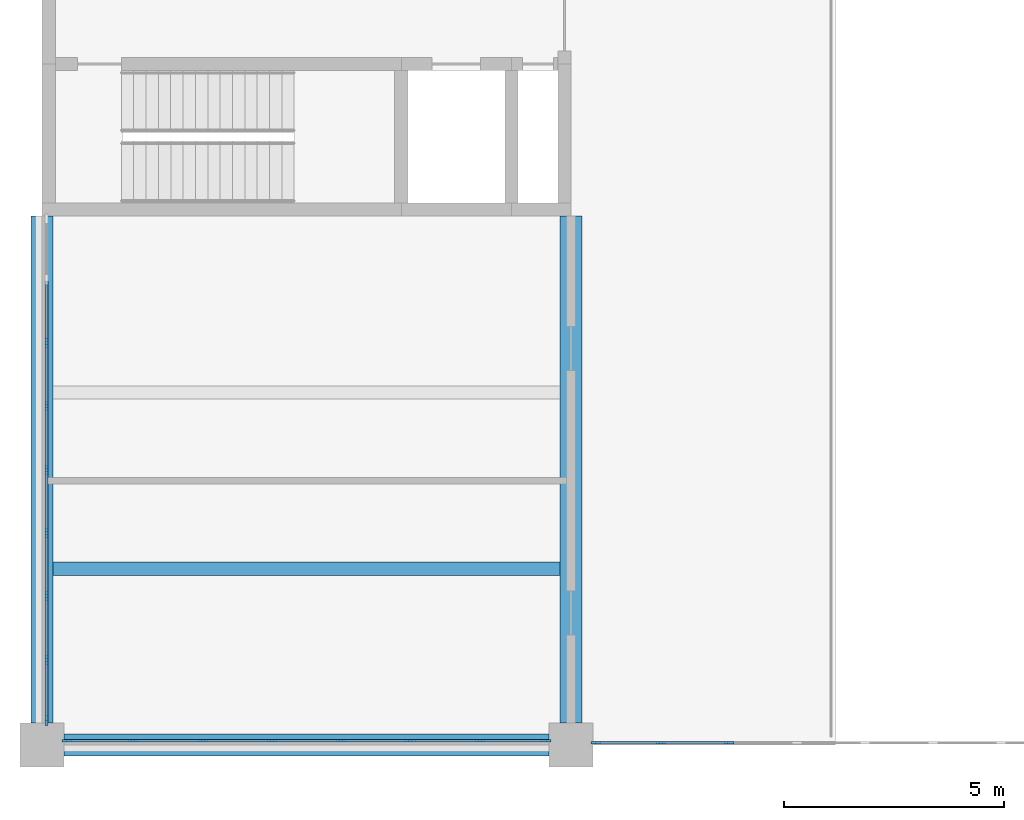
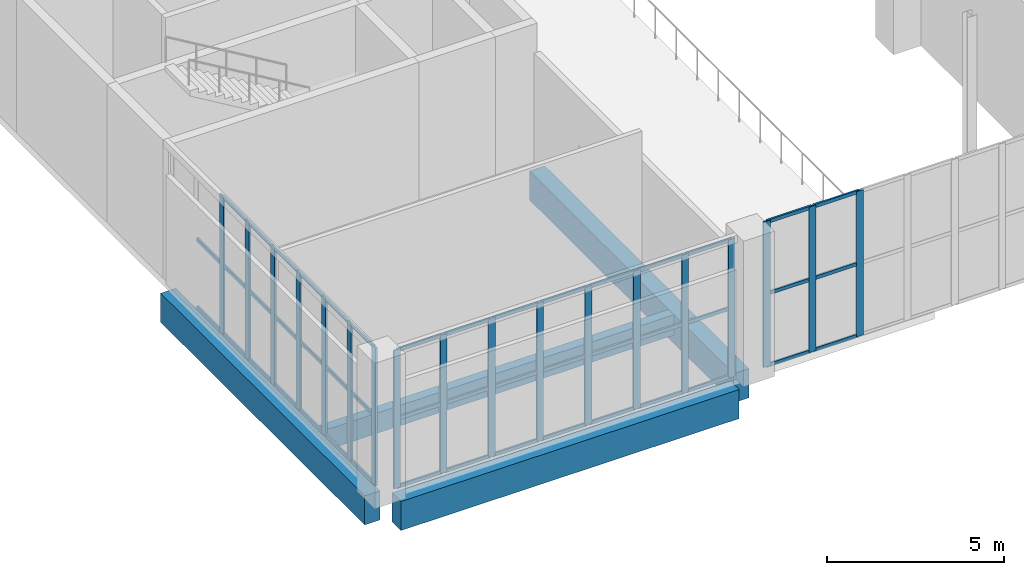
# One storey, part 12 of 69: 65 members, 4 beams, 3 elements without a shape of their own.
"""IFC4 building model written with IfcOpenShell, lengths in metres."""

from ifc_helpers import new_model, si_unit, direction, frame, origin, origin_2d, place, context, subcontext, project, spatial, rectangle, extrude, material, layer, layer_set, material_profile, profile_set, type_object, element, aggregate, save


model = new_model("IFC4")

# Units and contexts
model_context = context("Model", 3, precision=1e-05, world=origin(), true_north=direction((0.0, 1.0)))
body_context = subcontext(model_context, "Body", "Model", "MODEL_VIEW")
ifc_project = project(units=[si_unit("LENGTHUNIT", "METRE"), si_unit("AREAUNIT", "SQUARE_METRE"), si_unit("VOLUMEUNIT", "CUBIC_METRE"), si_unit("PLANEANGLEUNIT", "RADIAN"), si_unit("MASSUNIT", "GRAM", prefix="KILO")], contexts=[model_context])

# Site, building, storey
site_placement = place(None, origin())
site = spatial("IfcSite", under=ifc_project, at=site_placement, CompositionType="ELEMENT")
building_placement = place(site_placement, origin())
building = spatial("IfcBuilding", under=site, at=building_placement, Name="Lilac Gate Convention Centre", CompositionType="ELEMENT")
storey_placement = place(building_placement, frame((0.0, 0.0, 12.0)))
storey = spatial("IfcBuildingStorey", under=building, at=storey_placement, Name="L02", CompositionType="ELEMENT", Elevation=12.0)

# Curtain wall, members
ifc_material_1 = material(Name="Aluminium framed double glazing", Category="aluminium")
ifc_layer = layer(ifc_material_1, 0.199951171875)
ifc_layer_set = layer_set([ifc_layer], Name="Aluminium framed double glazing")
curtain_wall_type = type_object("IfcCurtainWallType", Name="Unitised curtain wall 1500", PredefinedType="NOTDEFINED", material=ifc_layer_set)
curtain_wall_1_placement = place(storey_placement, origin())
curtain_wall_1 = element("IfcCurtainWall", 1, at=curtain_wall_1_placement, inside=storey, type_object=curtain_wall_type, Name="Curtain wall PW L02 12", PredefinedType="NOTDEFINED")
ifc_material_2 = material(Name="Aluminium alloy 6063", Category="aluminium")
ifc_material_profile_1 = material_profile(ifc_material_2, rectangle(XDim=0.06005859375, YDim=0.219970703125, at=origin_2d()), Name="Curtain wall mullion 60 x 220")
ifc_profile_set_1 = profile_set([ifc_material_profile_1], Name="Aluminium alloy 6063")
member_type_1 = type_object("IfcMemberType", Name="Curtain wall mullion 60 x 220", PredefinedType="MULLION", material=ifc_profile_set_1)
member_1_placement = place(storey_placement, frame((6.10009765625, 39.125, 0.0), z_axis=(0.0, 0.0, 1.0), x_axis=(1.0, 0.0, 0.0)))
member_1 = element("IfcMember", 2, at=member_1_placement, type_object=member_type_1, Name="CW mullion 3", PredefinedType="MULLION", context=body_context, shape_type="SweptSolid", body=[
    extrude(rectangle(XDim=0.06005859375, YDim=0.219970703125, at=origin_2d()), origin(), (0.0, 0.0, 1.0), 4.75),
])
member_2_placement = place(storey_placement, frame((6.10009765625, 37.6875, 0.0), z_axis=(0.0, 0.0, 1.0), x_axis=(1.0, 0.0, 0.0)))
member_2 = element("IfcMember", 3, at=member_2_placement, type_object=member_type_1, Name="CW mullion 4", PredefinedType="MULLION", context=body_context, shape_type="SweptSolid", body=[
    extrude(rectangle(XDim=0.06005859375, YDim=0.219970703125, at=origin_2d()), origin(), (0.0, 0.0, 1.0), 4.75),
])
member_3_placement = place(storey_placement, frame((6.10009765625, 36.25, 0.0), z_axis=(0.0, 0.0, 1.0), x_axis=(1.0, 0.0, 0.0)))
member_3 = element("IfcMember", 4, at=member_3_placement, type_object=member_type_1, Name="CW mullion 5", PredefinedType="MULLION", context=body_context, shape_type="SweptSolid", body=[
    extrude(rectangle(XDim=0.06005859375, YDim=0.219970703125, at=origin_2d()), origin(), (0.0, 0.0, 1.0), 4.75),
])
member_4_placement = place(storey_placement, frame((6.10009765625, 34.8125, 0.0), z_axis=(0.0, 0.0, 1.0), x_axis=(1.0, 0.0, 0.0)))
member_4 = element("IfcMember", 5, at=member_4_placement, type_object=member_type_1, Name="CW mullion 6", PredefinedType="MULLION", context=body_context, shape_type="SweptSolid", body=[
    extrude(rectangle(XDim=0.06005859375, YDim=0.219970703125, at=origin_2d()), origin(), (0.0, 0.0, 1.0), 4.75),
])
member_5_placement = place(storey_placement, frame((6.10009765625, 33.375, 0.0), z_axis=(0.0, 0.0, 1.0), x_axis=(1.0, 0.0, 0.0)))
member_5 = element("IfcMember", 6, at=member_5_placement, type_object=member_type_1, Name="CW mullion 7", PredefinedType="MULLION", context=body_context, shape_type="SweptSolid", body=[
    extrude(rectangle(XDim=0.06005859375, YDim=0.219970703125, at=origin_2d()), origin(), (0.0, 0.0, 1.0), 4.75),
])
member_6_placement = place(storey_placement, frame((6.10009765625, 31.9375, 0.0), z_axis=(0.0, 0.0, 1.0), x_axis=(1.0, 0.0, 0.0)))
member_6 = element("IfcMember", 7, at=member_6_placement, type_object=member_type_1, Name="CW mullion 8", PredefinedType="MULLION", context=body_context, shape_type="SweptSolid", body=[
    extrude(rectangle(XDim=0.06005859375, YDim=0.219970703125, at=origin_2d()), origin(), (0.0, 0.0, 1.0), 4.75),
])
member_7_placement = place(storey_placement, frame((6.10009765625, 30.56005859375, 0.0), z_axis=(0.0, 0.0, 1.0), x_axis=(1.0, 0.0, 0.0)))
member_7 = element("IfcMember", 8, at=member_7_placement, type_object=member_type_1, Name="CW mullion 9", PredefinedType="MULLION", context=body_context, shape_type="SweptSolid", body=[
    extrude(rectangle(XDim=0.06005859375, YDim=0.219970703125, at=origin_2d()), origin(), (0.0, 0.0, 1.0), 4.75),
])

curtain_wall_2_placement = place(storey_placement, origin())
curtain_wall_2 = element("IfcCurtainWall", 9, at=curtain_wall_2_placement, inside=storey, type_object=curtain_wall_type, Name="Curtain wall PS L02 1", PredefinedType="NOTDEFINED")
member_8_placement = place(storey_placement, frame((6.56005859375, 30.10009765625, 0.0), z_axis=(0.0, 0.0, 1.0), x_axis=(0.0, 1.0, 0.0)))
member_8 = element("IfcMember", 10, at=member_8_placement, type_object=member_type_1, Name="CW mullion 1", PredefinedType="MULLION", context=body_context, shape_type="SweptSolid", body=[
    extrude(rectangle(XDim=0.06005859375, YDim=0.219970703125, at=origin_2d()), origin(), (0.0, 0.0, 1.0), 4.75),
])
member_9_placement = place(storey_placement, frame((8.071533203125, 30.10009765625, 0.0), z_axis=(0.0, 0.0, 1.0), x_axis=(0.0, 1.0, 0.0)))
member_9 = element("IfcMember", 11, at=member_9_placement, type_object=member_type_1, Name="CW mullion 2", PredefinedType="MULLION", context=body_context, shape_type="SweptSolid", body=[
    extrude(rectangle(XDim=0.06005859375, YDim=0.219970703125, at=origin_2d()), origin(), (0.0, 0.0, 1.0), 4.75),
])
member_10_placement = place(storey_placement, frame((9.642822265625, 30.10009765625, 0.0), z_axis=(0.0, 0.0, 1.0), x_axis=(0.0, 1.0, 0.0)))
member_10 = element("IfcMember", 12, at=member_10_placement, type_object=member_type_1, Name="CW mullion 3", PredefinedType="MULLION", context=body_context, shape_type="SweptSolid", body=[
    extrude(rectangle(XDim=0.06005859375, YDim=0.219970703125, at=origin_2d()), origin(), (0.0, 0.0, 1.0), 4.75),
])
member_11_placement = place(storey_placement, frame((11.21435546875, 30.10009765625, 0.0), z_axis=(0.0, 0.0, 1.0), x_axis=(0.0, 1.0, 0.0)))
member_11 = element("IfcMember", 13, at=member_11_placement, type_object=member_type_1, Name="CW mullion 4", PredefinedType="MULLION", context=body_context, shape_type="SweptSolid", body=[
    extrude(rectangle(XDim=0.06005859375, YDim=0.219970703125, at=origin_2d()), origin(), (0.0, 0.0, 1.0), 4.75),
])
member_12_placement = place(storey_placement, frame((12.78564453125, 30.10009765625, 0.0), z_axis=(0.0, 0.0, 1.0), x_axis=(0.0, 1.0, 0.0)))
member_12 = element("IfcMember", 14, at=member_12_placement, type_object=member_type_1, Name="CW mullion 5", PredefinedType="MULLION", context=body_context, shape_type="SweptSolid", body=[
    extrude(rectangle(XDim=0.06005859375, YDim=0.219970703125, at=origin_2d()), origin(), (0.0, 0.0, 1.0), 4.75),
])
member_13_placement = place(storey_placement, frame((14.357177734375, 30.10009765625, 0.0), z_axis=(0.0, 0.0, 1.0), x_axis=(0.0, 1.0, 0.0)))
member_13 = element("IfcMember", 15, at=member_13_placement, type_object=member_type_1, Name="CW mullion 6", PredefinedType="MULLION", context=body_context, shape_type="SweptSolid", body=[
    extrude(rectangle(XDim=0.06005859375, YDim=0.219970703125, at=origin_2d()), origin(), (0.0, 0.0, 1.0), 4.75),
])
member_14_placement = place(storey_placement, frame((15.928466796875, 30.10009765625, 0.0), z_axis=(0.0, 0.0, 1.0), x_axis=(0.0, 1.0, 0.0)))
member_14 = element("IfcMember", 16, at=member_14_placement, type_object=member_type_1, Name="CW mullion 7", PredefinedType="MULLION", context=body_context, shape_type="SweptSolid", body=[
    extrude(rectangle(XDim=0.06005859375, YDim=0.219970703125, at=origin_2d()), origin(), (0.0, 0.0, 1.0), 4.75),
])
member_15_placement = place(storey_placement, frame((17.43994140625, 30.10009765625, 0.0), z_axis=(0.0, 0.0, 1.0), x_axis=(0.0, 1.0, 0.0)))
member_15 = element("IfcMember", 17, at=member_15_placement, type_object=member_type_1, Name="CW mullion 8", PredefinedType="MULLION", context=body_context, shape_type="SweptSolid", body=[
    extrude(rectangle(XDim=0.06005859375, YDim=0.219970703125, at=origin_2d()), origin(), (0.0, 0.0, 1.0), 4.75),
])

curtain_wall_3_placement = place(storey_placement, origin())
curtain_wall_3 = element("IfcCurtainWall", 18, at=curtain_wall_3_placement, inside=storey, type_object=curtain_wall_type, Name="Galleria end glazing L02", PredefinedType="NOTDEFINED")
member_16_placement = place(storey_placement, frame((18.56005859375, 30.050048828125, 0.0), z_axis=(0.0, 0.0, 1.0), x_axis=(0.0, 1.0, 0.0)))
member_16 = element("IfcMember", 19, at=member_16_placement, type_object=member_type_1, Name="CW mullion 1", PredefinedType="MULLION", context=body_context, shape_type="SweptSolid", body=[
    extrude(rectangle(XDim=0.06005859375, YDim=0.219970703125, at=origin_2d()), origin(), (0.0, 0.0, 1.0), 5.0),
])
member_17_placement = place(storey_placement, frame((20.04296875, 30.050048828125, 0.0), z_axis=(0.0, 0.0, 1.0), x_axis=(0.0, 1.0, 0.0)))
member_17 = element("IfcMember", 20, at=member_17_placement, type_object=member_type_1, Name="CW mullion 2", PredefinedType="MULLION", context=body_context, shape_type="SweptSolid", body=[
    extrude(rectangle(XDim=0.06005859375, YDim=0.219970703125, at=origin_2d()), origin(), (0.0, 0.0, 1.0), 5.0),
])
member_18_placement = place(storey_placement, frame((21.585693359375, 30.050048828125, 0.0), z_axis=(0.0, 0.0, 1.0), x_axis=(0.0, 1.0, 0.0)))
member_18 = element("IfcMember", 21, at=member_18_placement, type_object=member_type_1, Name="CW mullion 3", PredefinedType="MULLION", context=body_context, shape_type="SweptSolid", body=[
    extrude(rectangle(XDim=0.06005859375, YDim=0.219970703125, at=origin_2d()), origin(), (0.0, 0.0, 1.0), 5.0),
])

# Member
ifc_material_profile_2 = material_profile(ifc_material_2, rectangle(XDim=0.06005859375, YDim=0.1201171875, at=origin_2d()), Name="Curtain wall transom 60 x 120")
ifc_profile_set_2 = profile_set([ifc_material_profile_2], Name="Aluminium alloy 6063")
member_type_2 = type_object("IfcMemberType", Name="Curtain wall transom 60 x 120", PredefinedType="USERDEFINED", material=ifc_profile_set_2)
member_19_placement = place(storey_placement, frame((6.10009765625, 40.532470703125, 0.030029296875), z_axis=(0.0, -1.0, 0.0), x_axis=(1.0, 0.0, 0.0)))
member_19 = element("IfcMember", 22, at=member_19_placement, type_object=member_type_2, Name="CW transom 2.1", ObjectType="TRANSOM", PredefinedType="USERDEFINED", context=body_context, shape_type="SweptSolid", body=[
    extrude(rectangle(XDim=0.06005859375, YDim=0.1201171875, at=origin_2d()), origin(), (0.0, 0.0, 1.0), 1.37744140625),
])

member_20_placement = place(storey_placement, frame((6.10009765625, 40.532470703125, 2.375), z_axis=(0.0, -1.0, 0.0), x_axis=(1.0, 0.0, 0.0)))
member_20 = element("IfcMember", 23, at=member_20_placement, type_object=member_type_2, Name="CW transom 2.2", ObjectType="TRANSOM", PredefinedType="USERDEFINED", context=body_context, shape_type="SweptSolid", body=[
    extrude(rectangle(XDim=0.06005859375, YDim=0.1201171875, at=origin_2d()), origin(), (0.0, 0.0, 1.0), 1.37744140625),
])

member_21_placement = place(storey_placement, frame((6.10009765625, 39.094970703125, 0.030029296875), z_axis=(0.0, -1.0, 0.0), x_axis=(1.0, 0.0, 0.0)))
member_21 = element("IfcMember", 24, at=member_21_placement, type_object=member_type_2, Name="CW transom 3.1", ObjectType="TRANSOM", PredefinedType="USERDEFINED", context=body_context, shape_type="SweptSolid", body=[
    extrude(rectangle(XDim=0.06005859375, YDim=0.1201171875, at=origin_2d()), origin(), (0.0, 0.0, 1.0), 1.37744140625),
])

member_22_placement = place(storey_placement, frame((6.10009765625, 39.094970703125, 2.375), z_axis=(0.0, -1.0, 0.0), x_axis=(1.0, 0.0, 0.0)))
member_22 = element("IfcMember", 25, at=member_22_placement, type_object=member_type_2, Name="CW transom 3.2", ObjectType="TRANSOM", PredefinedType="USERDEFINED", context=body_context, shape_type="SweptSolid", body=[
    extrude(rectangle(XDim=0.06005859375, YDim=0.1201171875, at=origin_2d()), origin(), (0.0, 0.0, 1.0), 1.37744140625),
])

member_23_placement = place(storey_placement, frame((6.10009765625, 39.094970703125, 4.719970703125), z_axis=(0.0, -1.0, 0.0), x_axis=(1.0, 0.0, 0.0)))
member_23 = element("IfcMember", 26, at=member_23_placement, type_object=member_type_2, Name="CW transom 3.3", ObjectType="TRANSOM", PredefinedType="USERDEFINED", context=body_context, shape_type="SweptSolid", body=[
    extrude(rectangle(XDim=0.06005859375, YDim=0.1201171875, at=origin_2d()), origin(), (0.0, 0.0, 1.0), 1.37744140625),
])

member_24_placement = place(storey_placement, frame((6.10009765625, 37.657470703125, 0.030029296875), z_axis=(0.0, -1.0, 0.0), x_axis=(1.0, 0.0, 0.0)))
member_24 = element("IfcMember", 27, at=member_24_placement, type_object=member_type_2, Name="CW transom 4.1", ObjectType="TRANSOM", PredefinedType="USERDEFINED", context=body_context, shape_type="SweptSolid", body=[
    extrude(rectangle(XDim=0.06005859375, YDim=0.1201171875, at=origin_2d()), origin(), (0.0, 0.0, 1.0), 1.37744140625),
])

member_25_placement = place(storey_placement, frame((6.10009765625, 37.657470703125, 2.375), z_axis=(0.0, -1.0, 0.0), x_axis=(1.0, 0.0, 0.0)))
member_25 = element("IfcMember", 28, at=member_25_placement, type_object=member_type_2, Name="CW transom 4.2", ObjectType="TRANSOM", PredefinedType="USERDEFINED", context=body_context, shape_type="SweptSolid", body=[
    extrude(rectangle(XDim=0.06005859375, YDim=0.1201171875, at=origin_2d()), origin(), (0.0, 0.0, 1.0), 1.37744140625),
])

member_26_placement = place(storey_placement, frame((6.10009765625, 37.657470703125, 4.719970703125), z_axis=(0.0, -1.0, 0.0), x_axis=(1.0, 0.0, 0.0)))
member_26 = element("IfcMember", 29, at=member_26_placement, type_object=member_type_2, Name="CW transom 4.3", ObjectType="TRANSOM", PredefinedType="USERDEFINED", context=body_context, shape_type="SweptSolid", body=[
    extrude(rectangle(XDim=0.06005859375, YDim=0.1201171875, at=origin_2d()), origin(), (0.0, 0.0, 1.0), 1.37744140625),
])

member_27_placement = place(storey_placement, frame((6.10009765625, 36.219970703125, 0.030029296875), z_axis=(0.0, -1.0, 0.0), x_axis=(1.0, 0.0, 0.0)))
member_27 = element("IfcMember", 30, at=member_27_placement, type_object=member_type_2, Name="CW transom 5.1", ObjectType="TRANSOM", PredefinedType="USERDEFINED", context=body_context, shape_type="SweptSolid", body=[
    extrude(rectangle(XDim=0.06005859375, YDim=0.1201171875, at=origin_2d()), origin(), (0.0, 0.0, 1.0), 1.37744140625),
])

member_28_placement = place(storey_placement, frame((6.10009765625, 36.219970703125, 2.375), z_axis=(0.0, -1.0, 0.0), x_axis=(1.0, 0.0, 0.0)))
member_28 = element("IfcMember", 31, at=member_28_placement, type_object=member_type_2, Name="CW transom 5.2", ObjectType="TRANSOM", PredefinedType="USERDEFINED", context=body_context, shape_type="SweptSolid", body=[
    extrude(rectangle(XDim=0.06005859375, YDim=0.1201171875, at=origin_2d()), origin(), (0.0, 0.0, 1.0), 1.37744140625),
])

member_29_placement = place(storey_placement, frame((6.10009765625, 36.219970703125, 4.719970703125), z_axis=(0.0, -1.0, 0.0), x_axis=(1.0, 0.0, 0.0)))
member_29 = element("IfcMember", 32, at=member_29_placement, type_object=member_type_2, Name="CW transom 5.3", ObjectType="TRANSOM", PredefinedType="USERDEFINED", context=body_context, shape_type="SweptSolid", body=[
    extrude(rectangle(XDim=0.06005859375, YDim=0.1201171875, at=origin_2d()), origin(), (0.0, 0.0, 1.0), 1.37744140625),
])

member_30_placement = place(storey_placement, frame((6.10009765625, 34.782470703125, 0.030029296875), z_axis=(0.0, -1.0, 0.0), x_axis=(1.0, 0.0, 0.0)))
member_30 = element("IfcMember", 33, at=member_30_placement, type_object=member_type_2, Name="CW transom 6.1", ObjectType="TRANSOM", PredefinedType="USERDEFINED", context=body_context, shape_type="SweptSolid", body=[
    extrude(rectangle(XDim=0.06005859375, YDim=0.1201171875, at=origin_2d()), origin(), (0.0, 0.0, 1.0), 1.37744140625),
])

member_31_placement = place(storey_placement, frame((6.10009765625, 34.782470703125, 2.375), z_axis=(0.0, -1.0, 0.0), x_axis=(1.0, 0.0, 0.0)))
member_31 = element("IfcMember", 34, at=member_31_placement, type_object=member_type_2, Name="CW transom 6.2", ObjectType="TRANSOM", PredefinedType="USERDEFINED", context=body_context, shape_type="SweptSolid", body=[
    extrude(rectangle(XDim=0.06005859375, YDim=0.1201171875, at=origin_2d()), origin(), (0.0, 0.0, 1.0), 1.37744140625),
])

member_32_placement = place(storey_placement, frame((6.10009765625, 34.782470703125, 4.719970703125), z_axis=(0.0, -1.0, 0.0), x_axis=(1.0, 0.0, 0.0)))
member_32 = element("IfcMember", 35, at=member_32_placement, type_object=member_type_2, Name="CW transom 6.3", ObjectType="TRANSOM", PredefinedType="USERDEFINED", context=body_context, shape_type="SweptSolid", body=[
    extrude(rectangle(XDim=0.06005859375, YDim=0.1201171875, at=origin_2d()), origin(), (0.0, 0.0, 1.0), 1.37744140625),
])

member_33_placement = place(storey_placement, frame((6.10009765625, 33.344970703125, 0.030029296875), z_axis=(0.0, -1.0, 0.0), x_axis=(1.0, 0.0, 0.0)))
member_33 = element("IfcMember", 36, at=member_33_placement, type_object=member_type_2, Name="CW transom 7.1", ObjectType="TRANSOM", PredefinedType="USERDEFINED", context=body_context, shape_type="SweptSolid", body=[
    extrude(rectangle(XDim=0.06005859375, YDim=0.1201171875, at=origin_2d()), origin(), (0.0, 0.0, 1.0), 1.37744140625),
])

member_34_placement = place(storey_placement, frame((6.10009765625, 33.344970703125, 2.375), z_axis=(0.0, -1.0, 0.0), x_axis=(1.0, 0.0, 0.0)))
member_34 = element("IfcMember", 37, at=member_34_placement, type_object=member_type_2, Name="CW transom 7.2", ObjectType="TRANSOM", PredefinedType="USERDEFINED", context=body_context, shape_type="SweptSolid", body=[
    extrude(rectangle(XDim=0.06005859375, YDim=0.1201171875, at=origin_2d()), origin(), (0.0, 0.0, 1.0), 1.37744140625),
])

member_35_placement = place(storey_placement, frame((6.10009765625, 33.344970703125, 4.719970703125), z_axis=(0.0, -1.0, 0.0), x_axis=(1.0, 0.0, 0.0)))
member_35 = element("IfcMember", 38, at=member_35_placement, type_object=member_type_2, Name="CW transom 7.3", ObjectType="TRANSOM", PredefinedType="USERDEFINED", context=body_context, shape_type="SweptSolid", body=[
    extrude(rectangle(XDim=0.06005859375, YDim=0.1201171875, at=origin_2d()), origin(), (0.0, 0.0, 1.0), 1.37744140625),
])

member_36_placement = place(storey_placement, frame((6.10009765625, 31.907470703125, 0.030029296875), z_axis=(0.0, -1.0, 0.0), x_axis=(1.0, 0.0, 0.0)))
member_36 = element("IfcMember", 39, at=member_36_placement, type_object=member_type_2, Name="CW transom 8.1", ObjectType="TRANSOM", PredefinedType="USERDEFINED", context=body_context, shape_type="SweptSolid", body=[
    extrude(rectangle(XDim=0.06005859375, YDim=0.1201171875, at=origin_2d()), origin(), (0.0, 0.0, 1.0), 1.347412109375),
])

member_37_placement = place(storey_placement, frame((6.10009765625, 31.907470703125, 2.375), z_axis=(0.0, -1.0, 0.0), x_axis=(1.0, 0.0, 0.0)))
member_37 = element("IfcMember", 40, at=member_37_placement, type_object=member_type_2, Name="CW transom 8.2", ObjectType="TRANSOM", PredefinedType="USERDEFINED", context=body_context, shape_type="SweptSolid", body=[
    extrude(rectangle(XDim=0.06005859375, YDim=0.1201171875, at=origin_2d()), origin(), (0.0, 0.0, 1.0), 1.347412109375),
])

member_38_placement = place(storey_placement, frame((6.10009765625, 31.907470703125, 4.719970703125), z_axis=(0.0, -1.0, 0.0), x_axis=(1.0, 0.0, 0.0)))
member_38 = element("IfcMember", 41, at=member_38_placement, type_object=member_type_2, Name="CW transom 8.3", ObjectType="TRANSOM", PredefinedType="USERDEFINED", context=body_context, shape_type="SweptSolid", body=[
    extrude(rectangle(XDim=0.06005859375, YDim=0.1201171875, at=origin_2d()), origin(), (0.0, 0.0, 1.0), 1.347412109375),
])

aggregate(curtain_wall_1, [member_1, member_2, member_3, member_4, member_5, member_6, member_7, member_19, member_20, member_21, member_22, member_23, member_24, member_25, member_26, member_27, member_28, member_29, member_30, member_31, member_32, member_33, member_34, member_35, member_36, member_37, member_38])

member_39_placement = place(storey_placement, frame((6.56005859375, 30.10009765625, 0.030029296875), z_axis=(1.0, 0.0, 0.0), x_axis=(0.0, 1.0, 0.0)))
member_39 = element("IfcMember", 42, at=member_39_placement, type_object=member_type_2, Name="CW transom 1.1", ObjectType="TRANSOM", PredefinedType="USERDEFINED", context=body_context, shape_type="SweptSolid", body=[
    extrude(rectangle(XDim=0.06005859375, YDim=0.1201171875, at=origin_2d()), origin(), (0.0, 0.0, 1.0), 1.4814453125),
])

member_40_placement = place(storey_placement, frame((6.56005859375, 30.10009765625, 2.375), z_axis=(1.0, 0.0, 0.0), x_axis=(0.0, 1.0, 0.0)))
member_40 = element("IfcMember", 43, at=member_40_placement, type_object=member_type_2, Name="CW transom 1.2", ObjectType="TRANSOM", PredefinedType="USERDEFINED", context=body_context, shape_type="SweptSolid", body=[
    extrude(rectangle(XDim=0.06005859375, YDim=0.1201171875, at=origin_2d()), origin(), (0.0, 0.0, 1.0), 1.4814453125),
])

member_41_placement = place(storey_placement, frame((6.56005859375, 30.10009765625, 4.719970703125), z_axis=(1.0, 0.0, 0.0), x_axis=(0.0, 1.0, 0.0)))
member_41 = element("IfcMember", 44, at=member_41_placement, type_object=member_type_2, Name="CW transom 1.3", ObjectType="TRANSOM", PredefinedType="USERDEFINED", context=body_context, shape_type="SweptSolid", body=[
    extrude(rectangle(XDim=0.06005859375, YDim=0.1201171875, at=origin_2d()), origin(), (0.0, 0.0, 1.0), 1.4814453125),
])

member_42_placement = place(storey_placement, frame((8.101318359375, 30.10009765625, 0.030029296875), z_axis=(1.0, 0.0, 0.0), x_axis=(0.0, 1.0, 0.0)))
member_42 = element("IfcMember", 45, at=member_42_placement, type_object=member_type_2, Name="CW transom 2.1", ObjectType="TRANSOM", PredefinedType="USERDEFINED", context=body_context, shape_type="SweptSolid", body=[
    extrude(rectangle(XDim=0.06005859375, YDim=0.1201171875, at=origin_2d()), origin(), (0.0, 0.0, 1.0), 1.511474609375),
])

member_43_placement = place(storey_placement, frame((8.101318359375, 30.10009765625, 2.375), z_axis=(1.0, 0.0, 0.0), x_axis=(0.0, 1.0, 0.0)))
member_43 = element("IfcMember", 46, at=member_43_placement, type_object=member_type_2, Name="CW transom 2.2", ObjectType="TRANSOM", PredefinedType="USERDEFINED", context=body_context, shape_type="SweptSolid", body=[
    extrude(rectangle(XDim=0.06005859375, YDim=0.1201171875, at=origin_2d()), origin(), (0.0, 0.0, 1.0), 1.511474609375),
])

member_44_placement = place(storey_placement, frame((8.101318359375, 30.10009765625, 4.719970703125), z_axis=(1.0, 0.0, 0.0), x_axis=(0.0, 1.0, 0.0)))
member_44 = element("IfcMember", 47, at=member_44_placement, type_object=member_type_2, Name="CW transom 2.3", ObjectType="TRANSOM", PredefinedType="USERDEFINED", context=body_context, shape_type="SweptSolid", body=[
    extrude(rectangle(XDim=0.06005859375, YDim=0.1201171875, at=origin_2d()), origin(), (0.0, 0.0, 1.0), 1.511474609375),
])

member_45_placement = place(storey_placement, frame((9.6728515625, 30.10009765625, 0.030029296875), z_axis=(1.0, 0.0, 0.0), x_axis=(0.0, 1.0, 0.0)))
member_45 = element("IfcMember", 48, at=member_45_placement, type_object=member_type_2, Name="CW transom 3.1", ObjectType="TRANSOM", PredefinedType="USERDEFINED", context=body_context, shape_type="SweptSolid", body=[
    extrude(rectangle(XDim=0.06005859375, YDim=0.1201171875, at=origin_2d()), origin(), (0.0, 0.0, 1.0), 1.511474609375),
])

member_46_placement = place(storey_placement, frame((9.6728515625, 30.10009765625, 2.375), z_axis=(1.0, 0.0, 0.0), x_axis=(0.0, 1.0, 0.0)))
member_46 = element("IfcMember", 49, at=member_46_placement, type_object=member_type_2, Name="CW transom 3.2", ObjectType="TRANSOM", PredefinedType="USERDEFINED", context=body_context, shape_type="SweptSolid", body=[
    extrude(rectangle(XDim=0.06005859375, YDim=0.1201171875, at=origin_2d()), origin(), (0.0, 0.0, 1.0), 1.511474609375),
])

member_47_placement = place(storey_placement, frame((9.6728515625, 30.10009765625, 4.719970703125), z_axis=(1.0, 0.0, 0.0), x_axis=(0.0, 1.0, 0.0)))
member_47 = element("IfcMember", 50, at=member_47_placement, type_object=member_type_2, Name="CW transom 3.3", ObjectType="TRANSOM", PredefinedType="USERDEFINED", context=body_context, shape_type="SweptSolid", body=[
    extrude(rectangle(XDim=0.06005859375, YDim=0.1201171875, at=origin_2d()), origin(), (0.0, 0.0, 1.0), 1.511474609375),
])

member_48_placement = place(storey_placement, frame((11.244384765625, 30.10009765625, 0.030029296875), z_axis=(1.0, 0.0, 0.0), x_axis=(0.0, 1.0, 0.0)))
member_48 = element("IfcMember", 51, at=member_48_placement, type_object=member_type_2, Name="CW transom 4.1", ObjectType="TRANSOM", PredefinedType="USERDEFINED", context=body_context, shape_type="SweptSolid", body=[
    extrude(rectangle(XDim=0.06005859375, YDim=0.1201171875, at=origin_2d()), origin(), (0.0, 0.0, 1.0), 1.51123046875),
])

member_49_placement = place(storey_placement, frame((11.244384765625, 30.10009765625, 2.375), z_axis=(1.0, 0.0, 0.0), x_axis=(0.0, 1.0, 0.0)))
member_49 = element("IfcMember", 52, at=member_49_placement, type_object=member_type_2, Name="CW transom 4.2", ObjectType="TRANSOM", PredefinedType="USERDEFINED", context=body_context, shape_type="SweptSolid", body=[
    extrude(rectangle(XDim=0.06005859375, YDim=0.1201171875, at=origin_2d()), origin(), (0.0, 0.0, 1.0), 1.51123046875),
])

member_50_placement = place(storey_placement, frame((11.244384765625, 30.10009765625, 4.719970703125), z_axis=(1.0, 0.0, 0.0), x_axis=(0.0, 1.0, 0.0)))
member_50 = element("IfcMember", 53, at=member_50_placement, type_object=member_type_2, Name="CW transom 4.3", ObjectType="TRANSOM", PredefinedType="USERDEFINED", context=body_context, shape_type="SweptSolid", body=[
    extrude(rectangle(XDim=0.06005859375, YDim=0.1201171875, at=origin_2d()), origin(), (0.0, 0.0, 1.0), 1.51123046875),
])

member_51_placement = place(storey_placement, frame((12.815673828125, 30.10009765625, 0.030029296875), z_axis=(1.0, 0.0, 0.0), x_axis=(0.0, 1.0, 0.0)))
member_51 = element("IfcMember", 54, at=member_51_placement, type_object=member_type_2, Name="CW transom 5.1", ObjectType="TRANSOM", PredefinedType="USERDEFINED", context=body_context, shape_type="SweptSolid", body=[
    extrude(rectangle(XDim=0.06005859375, YDim=0.1201171875, at=origin_2d()), origin(), (0.0, 0.0, 1.0), 1.511474609375),
])

member_52_placement = place(storey_placement, frame((12.815673828125, 30.10009765625, 2.375), z_axis=(1.0, 0.0, 0.0), x_axis=(0.0, 1.0, 0.0)))
member_52 = element("IfcMember", 55, at=member_52_placement, type_object=member_type_2, Name="CW transom 5.2", ObjectType="TRANSOM", PredefinedType="USERDEFINED", context=body_context, shape_type="SweptSolid", body=[
    extrude(rectangle(XDim=0.06005859375, YDim=0.1201171875, at=origin_2d()), origin(), (0.0, 0.0, 1.0), 1.511474609375),
])

member_53_placement = place(storey_placement, frame((12.815673828125, 30.10009765625, 4.719970703125), z_axis=(1.0, 0.0, 0.0), x_axis=(0.0, 1.0, 0.0)))
member_53 = element("IfcMember", 56, at=member_53_placement, type_object=member_type_2, Name="CW transom 5.3", ObjectType="TRANSOM", PredefinedType="USERDEFINED", context=body_context, shape_type="SweptSolid", body=[
    extrude(rectangle(XDim=0.06005859375, YDim=0.1201171875, at=origin_2d()), origin(), (0.0, 0.0, 1.0), 1.511474609375),
])

member_54_placement = place(storey_placement, frame((14.38720703125, 30.10009765625, 0.030029296875), z_axis=(1.0, 0.0, 0.0), x_axis=(0.0, 1.0, 0.0)))
member_54 = element("IfcMember", 57, at=member_54_placement, type_object=member_type_2, Name="CW transom 6.1", ObjectType="TRANSOM", PredefinedType="USERDEFINED", context=body_context, shape_type="SweptSolid", body=[
    extrude(rectangle(XDim=0.06005859375, YDim=0.1201171875, at=origin_2d()), origin(), (0.0, 0.0, 1.0), 1.511474609375),
])

member_55_placement = place(storey_placement, frame((14.38720703125, 30.10009765625, 2.375), z_axis=(1.0, 0.0, 0.0), x_axis=(0.0, 1.0, 0.0)))
member_55 = element("IfcMember", 58, at=member_55_placement, type_object=member_type_2, Name="CW transom 6.2", ObjectType="TRANSOM", PredefinedType="USERDEFINED", context=body_context, shape_type="SweptSolid", body=[
    extrude(rectangle(XDim=0.06005859375, YDim=0.1201171875, at=origin_2d()), origin(), (0.0, 0.0, 1.0), 1.511474609375),
])

member_56_placement = place(storey_placement, frame((14.38720703125, 30.10009765625, 4.719970703125), z_axis=(1.0, 0.0, 0.0), x_axis=(0.0, 1.0, 0.0)))
member_56 = element("IfcMember", 59, at=member_56_placement, type_object=member_type_2, Name="CW transom 6.3", ObjectType="TRANSOM", PredefinedType="USERDEFINED", context=body_context, shape_type="SweptSolid", body=[
    extrude(rectangle(XDim=0.06005859375, YDim=0.1201171875, at=origin_2d()), origin(), (0.0, 0.0, 1.0), 1.511474609375),
])

member_57_placement = place(storey_placement, frame((15.95849609375, 30.10009765625, 0.030029296875), z_axis=(1.0, 0.0, 0.0), x_axis=(0.0, 1.0, 0.0)))
member_57 = element("IfcMember", 60, at=member_57_placement, type_object=member_type_2, Name="CW transom 7.1", ObjectType="TRANSOM", PredefinedType="USERDEFINED", context=body_context, shape_type="SweptSolid", body=[
    extrude(rectangle(XDim=0.06005859375, YDim=0.1201171875, at=origin_2d()), origin(), (0.0, 0.0, 1.0), 1.4814453125),
])

member_58_placement = place(storey_placement, frame((15.95849609375, 30.10009765625, 2.375), z_axis=(1.0, 0.0, 0.0), x_axis=(0.0, 1.0, 0.0)))
member_58 = element("IfcMember", 61, at=member_58_placement, type_object=member_type_2, Name="CW transom 7.2", ObjectType="TRANSOM", PredefinedType="USERDEFINED", context=body_context, shape_type="SweptSolid", body=[
    extrude(rectangle(XDim=0.06005859375, YDim=0.1201171875, at=origin_2d()), origin(), (0.0, 0.0, 1.0), 1.4814453125),
])

member_59_placement = place(storey_placement, frame((15.95849609375, 30.10009765625, 4.719970703125), z_axis=(1.0, 0.0, 0.0), x_axis=(0.0, 1.0, 0.0)))
member_59 = element("IfcMember", 62, at=member_59_placement, type_object=member_type_2, Name="CW transom 7.3", ObjectType="TRANSOM", PredefinedType="USERDEFINED", context=body_context, shape_type="SweptSolid", body=[
    extrude(rectangle(XDim=0.06005859375, YDim=0.1201171875, at=origin_2d()), origin(), (0.0, 0.0, 1.0), 1.4814453125),
])

aggregate(curtain_wall_2, [member_8, member_9, member_10, member_11, member_12, member_13, member_14, member_15, member_39, member_40, member_41, member_42, member_43, member_44, member_45, member_46, member_47, member_48, member_49, member_50, member_51, member_52, member_53, member_54, member_55, member_56, member_57, member_58, member_59])

member_60_placement = place(storey_placement, frame((18.56005859375, 30.050048828125, 0.030029296875), z_axis=(1.0, 0.0, 0.0), x_axis=(0.0, 1.0, 0.0)))
member_60 = element("IfcMember", 63, at=member_60_placement, type_object=member_type_2, Name="CW transom 1.1", ObjectType="TRANSOM", PredefinedType="USERDEFINED", context=body_context, shape_type="SweptSolid", body=[
    extrude(rectangle(XDim=0.06005859375, YDim=0.1201171875, at=origin_2d()), origin(), (0.0, 0.0, 1.0), 1.452880859375),
])

member_61_placement = place(storey_placement, frame((18.56005859375, 30.050048828125, 2.5), z_axis=(1.0, 0.0, 0.0), x_axis=(0.0, 1.0, 0.0)))
member_61 = element("IfcMember", 64, at=member_61_placement, type_object=member_type_2, Name="CW transom 1.2", ObjectType="TRANSOM", PredefinedType="USERDEFINED", context=body_context, shape_type="SweptSolid", body=[
    extrude(rectangle(XDim=0.06005859375, YDim=0.1201171875, at=origin_2d()), origin(), (0.0, 0.0, 1.0), 1.452880859375),
])

member_62_placement = place(storey_placement, frame((18.56005859375, 30.050048828125, 4.969970703125), z_axis=(1.0, 0.0, 0.0), x_axis=(0.0, 1.0, 0.0)))
member_62 = element("IfcMember", 65, at=member_62_placement, type_object=member_type_2, Name="CW transom 1.3", ObjectType="TRANSOM", PredefinedType="USERDEFINED", context=body_context, shape_type="SweptSolid", body=[
    extrude(rectangle(XDim=0.06005859375, YDim=0.1201171875, at=origin_2d()), origin(), (0.0, 0.0, 1.0), 1.452880859375),
])

member_63_placement = place(storey_placement, frame((20.07275390625, 30.050048828125, 0.030029296875), z_axis=(1.0, 0.0, 0.0), x_axis=(0.0, 1.0, 0.0)))
member_63 = element("IfcMember", 66, at=member_63_placement, type_object=member_type_2, Name="CW transom 2.1", ObjectType="TRANSOM", PredefinedType="USERDEFINED", context=body_context, shape_type="SweptSolid", body=[
    extrude(rectangle(XDim=0.06005859375, YDim=0.1201171875, at=origin_2d()), origin(), (0.0, 0.0, 1.0), 1.48291015625),
])

member_64_placement = place(storey_placement, frame((20.07275390625, 30.050048828125, 2.5), z_axis=(1.0, 0.0, 0.0), x_axis=(0.0, 1.0, 0.0)))
member_64 = element("IfcMember", 67, at=member_64_placement, type_object=member_type_2, Name="CW transom 2.2", ObjectType="TRANSOM", PredefinedType="USERDEFINED", context=body_context, shape_type="SweptSolid", body=[
    extrude(rectangle(XDim=0.06005859375, YDim=0.1201171875, at=origin_2d()), origin(), (0.0, 0.0, 1.0), 1.48291015625),
])

member_65_placement = place(storey_placement, frame((20.07275390625, 30.050048828125, 4.969970703125), z_axis=(1.0, 0.0, 0.0), x_axis=(0.0, 1.0, 0.0)))
member_65 = element("IfcMember", 68, at=member_65_placement, type_object=member_type_2, Name="CW transom 2.3", ObjectType="TRANSOM", PredefinedType="USERDEFINED", context=body_context, shape_type="SweptSolid", body=[
    extrude(rectangle(XDim=0.06005859375, YDim=0.1201171875, at=origin_2d()), origin(), (0.0, 0.0, 1.0), 1.48291015625),
])

aggregate(curtain_wall_3, [member_16, member_17, member_18, member_60, member_61, member_62, member_63, member_64, member_65])

# Beams
ifc_material_3 = material(Name="Concrete C40", Category="concrete")
ifc_material_profile_3 = material_profile(ifc_material_3, rectangle(XDim=0.5, YDim=1.0, at=origin_2d()), Name="RC 500x1000")
ifc_profile_set_3 = profile_set([ifc_material_profile_3], Name="Concrete C40")
beam_type_1 = type_object("IfcBeamType", Name="Primary beam 500x1000 C40", PredefinedType="BEAM", material=ifc_profile_set_3)
beam_1_placement = place(storey_placement, frame((6.5, 30.0, -0.75), z_axis=(1.0, 0.0, 0.0), x_axis=(0.0, 1.0, 0.0)))
element("IfcBeam", 69, at=beam_1_placement, inside=storey, type_object=beam_type_1, Name="RB1 L02 1/A-2/A", PredefinedType="BEAM", context=body_context, shape_type="SweptSolid", body=[
    extrude(rectangle(XDim=0.5, YDim=1.0, at=origin_2d()), origin(), (0.0, 0.0, 1.0), 11.0),
])
for number, where, z_axis, x_axis, name in (
    (70, (6.0, 30.5, -0.75), (0.0, 1.0, 0.0), (-1.0, 0.0, 0.0), "RB1 L02 1/A-1/B"),
    (71, (18.0, 30.5, -0.75), (0.0, 1.0, 0.0), (-1.0, 0.0, 0.0), "RB1 L02 2/A-2/B"),
):
    element("IfcBeam", number, at=place(storey_placement, frame(where, z_axis=z_axis, x_axis=x_axis)), inside=storey, type_object=beam_type_1, Name=name, PredefinedType="BEAM", context=body_context, shape_type="SweptSolid", body=[
        extrude(rectangle(XDim=0.5, YDim=1.0, at=origin_2d()), origin(), (0.0, 0.0, 1.0), 11.5),
    ])
ifc_material_profile_4 = material_profile(ifc_material_3, rectangle(XDim=0.300048828125, YDim=0.699951171875, at=origin_2d()), Name="RC 300x700")
ifc_profile_set_4 = profile_set([ifc_material_profile_4], Name="Concrete C40")
beam_type_2 = type_object("IfcBeamType", Name="Secondary beam 300x700 C40", PredefinedType="BEAM", material=ifc_profile_set_4)
beam_2_placement = place(storey_placement, frame((6.25, 34.0, -0.60009765625), z_axis=(1.0, 0.0, 0.0), x_axis=(0.0, 1.0, 0.0)))
element("IfcBeam", 72, at=beam_2_placement, inside=storey, type_object=beam_type_2, Name="RB2 L02 bay 1/A", PredefinedType="BEAM", context=body_context, shape_type="SweptSolid", body=[
    extrude(rectangle(XDim=0.300048828125, YDim=0.699951171875, at=origin_2d()), origin(), (0.0, 0.0, 1.0), 11.5),
])

save(model, "model.ifc")
